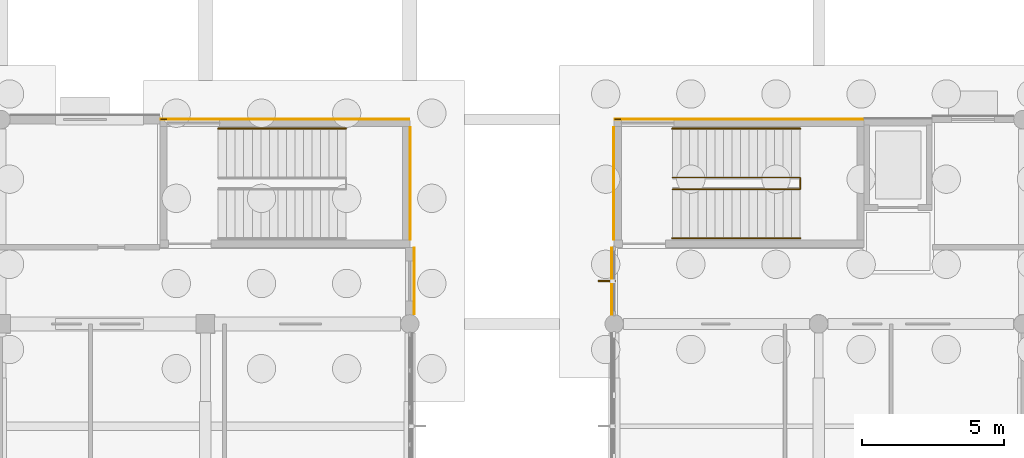
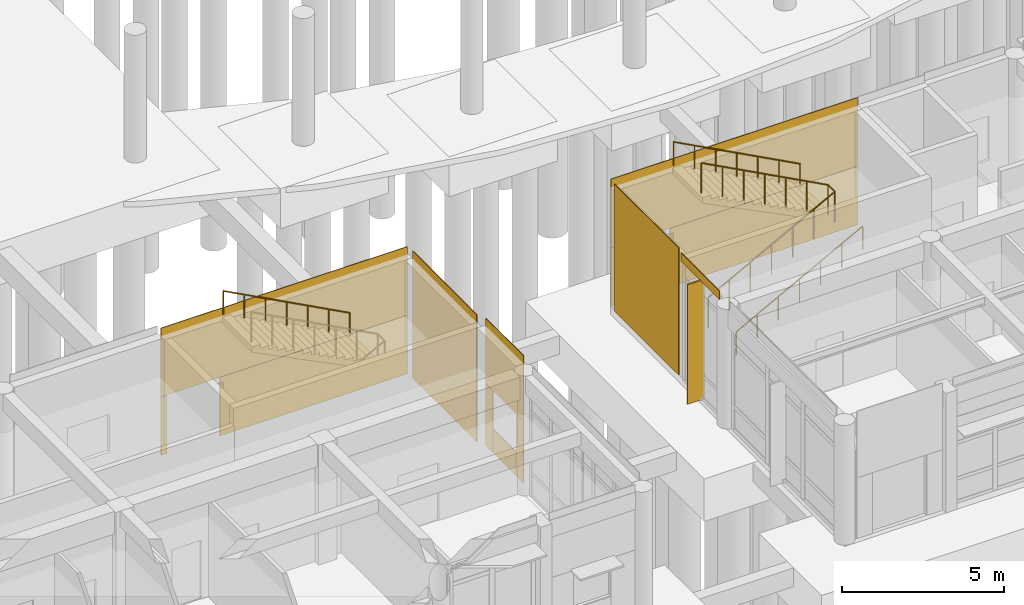
# One storey, part 83 of 103: 13 coverings, 4 railings, 1 shading device.
"""IFC4 building model written with IfcOpenShell, lengths in metres."""

import ifcopenshell
import ifcopenshell.guid

model = None  # the IFC model being written
_history = None  # IfcOwnerHistory: only IFC2X3 demands one
_inside = {}  # id of a spatial element -> (the spatial element, [elements in it])
_under = {}  # id of a project, library or spatial element -> (it, [spatial elements below it])
_declared = {}  # id of a project -> (the project, [libraries it declares])
_typed = {}  # id of a type object -> (the type object, [elements of that type])
_made_of = {}  # id of a material, layer set ... -> (it, [elements and type objects made of it])


def new_model(schema):
    """Start an empty IFC model of exactly this schema.

    Asked for "IFC4X3", IfcOpenShell would pick the latest addendum, in which some entities
    have other attributes; the version numbers below select the first issue.
    IFC2X3 requires an IfcOwnerHistory on every rooted entity: one is made here for all.
    """
    global model, _history
    if schema == "IFC4X3":
        model = ifcopenshell.file(schema_version=(4, 3, 0, 0))
    else:
        model = ifcopenshell.file(schema=schema)
    _inside.clear()
    _under.clear()
    _declared.clear()
    _typed.clear()
    _made_of.clear()
    _history = None
    if model.schema == "IFC2X3":
        org = make("IfcOrganization", Name="unknown")
        user = make(
            "IfcPersonAndOrganization",
            ThePerson=make("IfcPerson", FamilyName="unknown"),
            TheOrganization=org,
        )
        app = make(
            "IfcApplication",
            ApplicationDeveloper=org,
            Version="unknown",
            ApplicationFullName="unknown",
            ApplicationIdentifier="unknown",
        )
        _history = make(
            "IfcOwnerHistory",
            OwningUser=user,
            OwningApplication=app,
            ChangeAction="ADDED",
            CreationDate=0,
        )
    return model


def make(cls, **values):
    """One entity of the class cls with the attributes given. An attribute that is None is left unset."""
    return model.create_entity(
        cls, **{name: value for name, value in values.items() if value is not None}
    )


def rooted(cls, **values):
    """An entity with a GlobalId (a new one), such as an element, a storey or a relation."""
    return make(cls, GlobalId=ifcopenshell.guid.new(), OwnerHistory=_history, **values)


def si_unit(unit_type, name, prefix=None):
    """IfcSIUnit, for example si_unit("LENGTHUNIT", "METRE", prefix="MILLI")."""
    return make("IfcSIUnit", UnitType=unit_type, Prefix=prefix, Name=name)


def assignment(units):
    """IfcUnitAssignment: the units of a project."""
    return None if units is None else make("IfcUnitAssignment", Units=units)


def point(xyz):
    """IfcCartesianPoint."""
    return None if xyz is None else make("IfcCartesianPoint", Coordinates=xyz)


def direction(xyz):
    """IfcDirection."""
    return None if xyz is None else make("IfcDirection", DirectionRatios=xyz)


def frame(location, z_axis=None, x_axis=None):
    """IfcAxis2Placement3D, a coordinate frame: its origin and axes. An axis left out is left unset."""
    return make(
        "IfcAxis2Placement3D",
        Location=point(location),
        Axis=direction(z_axis),
        RefDirection=direction(x_axis),
    )


def frame_2d(location, x_axis=None):
    """IfcAxis2Placement2D, a coordinate frame in the plane: its origin and x axis."""
    return make(
        "IfcAxis2Placement2D", Location=point(location), RefDirection=direction(x_axis)
    )


def origin():
    """The frame at (0, 0, 0) with its axes left unset."""
    return frame((0.0, 0.0, 0.0))


def origin_2d():
    """The frame at (0, 0) in the plane with its x axis left unset."""
    return frame_2d((0.0, 0.0))


def place(relative_to, where):
    """IfcLocalPlacement: puts the frame where relative to a parent placement (None: the world)."""
    return make(
        "IfcLocalPlacement", PlacementRelTo=relative_to, RelativePlacement=where
    )


def context(
    kind, dimensions, precision=None, world=None, true_north=None, identifier=None
):
    """IfcGeometricRepresentationContext, for example the 3D "Model" context."""
    return make(
        "IfcGeometricRepresentationContext",
        ContextIdentifier=identifier,
        ContextType=kind,
        CoordinateSpaceDimension=dimensions,
        Precision=precision,
        WorldCoordinateSystem=world,
        TrueNorth=true_north,
    )


def subcontext(parent, identifier, kind, view, scale=None):
    """IfcGeometricRepresentationSubContext, for example "Body" below "Model"."""
    return make(
        "IfcGeometricRepresentationSubContext",
        ContextIdentifier=identifier,
        ContextType=kind,
        ParentContext=parent,
        TargetScale=scale,
        TargetView=view,
    )


def project(units=None, contexts=None):
    """IfcProject with its units and contexts."""
    return rooted(
        "IfcProject",
        Name="project",
        RepresentationContexts=contexts,
        UnitsInContext=assignment(units),
    )


def spatial(cls, under=None, at=None, **own):
    """A site, building, storey or space (cls), placed at a placement, below another one or the project."""
    s = rooted(cls, ObjectPlacement=at, **own)
    if under is not None:
        _under.setdefault(under.id(), (under, []))[1].append(s)
    return s


def profile(cls, at=None, kind="AREA", **sizes):
    """A parametric profile (cls). Its sizes go by their IFC names, for example OverallWidth=200.0."""
    return make(cls, ProfileType=kind, Position=at, **sizes)


def rectangle(**sizes):
    """IfcRectangleProfileDef."""
    return profile("IfcRectangleProfileDef", **sizes)


def circle(**sizes):
    """IfcCircleProfileDef."""
    return profile("IfcCircleProfileDef", **sizes)


def extrude(swept, where, along, depth):
    """IfcExtrudedAreaSolid: the profile swept, set in the frame where, extruded along a direction by depth."""
    return make(
        "IfcExtrudedAreaSolid",
        SweptArea=swept,
        Position=where,
        ExtrudedDirection=direction(along),
        Depth=depth,
    )


def shape(context_of_items, identifier, shape_type, items):
    """IfcShapeRepresentation: the items that make up one representation, for example the "Body"."""
    return make(
        "IfcShapeRepresentation",
        ContextOfItems=context_of_items,
        RepresentationIdentifier=identifier,
        RepresentationType=shape_type,
        Items=items,
    )


def material(Name=None, Category=None):
    """IfcMaterial."""
    return make("IfcMaterial", Name=Name, Category=Category)


def layer(
    of_material, thickness, ventilated=None, Name=None, Category=None, Priority=None
):
    """IfcMaterialLayer: one layer of a wall or slab, of a material (None: an air gap)."""
    return make(
        "IfcMaterialLayer",
        Material=of_material,
        LayerThickness=thickness,
        IsVentilated=ventilated,
        Name=Name,
        Category=Category,
        Priority=Priority,
    )


def layer_set(layers, Name=None):
    """IfcMaterialLayerSet."""
    return make("IfcMaterialLayerSet", MaterialLayers=layers, LayerSetName=Name)


def made_of(thing, what):
    """Note that an element or type object is made of a material, layer set ...; save() writes the relation."""
    if what is not None:
        _made_of.setdefault(what.id(), (what, []))[1].append(thing)
    return thing


def type_object(cls, material=None, **own):
    """A type object (cls), such as IfcWallType, which elements share."""
    return made_of(rooted(cls, **own), material)


def element(
    cls,
    number,
    at=None,
    inside=None,
    cuts=None,
    type_object=None,
    material=None,
    context=None,
    identifier="Body",
    shape_type=None,
    held_by="IfcProductDefinitionShape",
    body=None,
    shapes=None,
    **own,
):
    """One element of the class cls, such as IfcWall. Its Tag is "e" and its number.

    at: its placement. inside: the storey or other place that contains it. cuts: it is an
    opening in that element (IfcRelVoidsElement). A single representation is given by context,
    identifier, shape_type and body (its items); several are given by shapes. held_by: the class
    of the entity that holds the representations. save() writes the other relations.
    """
    e = rooted(cls, Tag="e%d" % number, ObjectPlacement=at, **own)
    if body is not None:
        shapes = [shape(context, identifier, shape_type, body)]
    if shapes is not None:
        e.Representation = make(held_by, Representations=shapes)
    if inside is not None:
        _inside.setdefault(inside.id(), (inside, []))[1].append(e)
    if cuts is not None:
        rooted(
            "IfcRelVoidsElement", RelatingBuildingElement=cuts, RelatedOpeningElement=e
        )
    if type_object is not None:
        _typed.setdefault(type_object.id(), (type_object, []))[1].append(e)
    return made_of(e, material)


def aggregate(whole, parts):
    """IfcRelAggregates: a whole, such as a stair, and the parts it consists of."""
    return rooted("IfcRelAggregates", RelatingObject=whole, RelatedObjects=parts)


def save(model, path):
    """Write the relations noted so far, then the file.

    IfcRelAggregates (storeys below a building ...), IfcRelContainedInSpatialStructure (elements
    in a storey), IfcRelDefinesByType, IfcRelAssociatesMaterial and IfcRelDeclares: one each for
    every whole, place, type object, material and project.
    """
    for whole, parts in _under.values():
        aggregate(whole, parts)
    for where, things in _inside.values():
        rooted(
            "IfcRelContainedInSpatialStructure",
            RelatedElements=things,
            RelatingStructure=where,
        )
    for kind, things in _typed.values():
        rooted("IfcRelDefinesByType", RelatedObjects=things, RelatingType=kind)
    for what, things in _made_of.values():
        rooted("IfcRelAssociatesMaterial", RelatedObjects=things, RelatingMaterial=what)
    for by, libraries in _declared.values():
        rooted("IfcRelDeclares", RelatingContext=by, RelatedDefinitions=libraries)
    model.write(path)


model = new_model("IFC4")

# Units and contexts
model_context = context("Model", 3, precision=1e-05, world=origin(), true_north=direction((0.0, 1.0)))
body_context = subcontext(model_context, "Body", "Model", "MODEL_VIEW")
ifc_project = project(units=[si_unit("LENGTHUNIT", "METRE"), si_unit("AREAUNIT", "SQUARE_METRE"), si_unit("VOLUMEUNIT", "CUBIC_METRE"), si_unit("PLANEANGLEUNIT", "RADIAN"), si_unit("MASSUNIT", "GRAM", prefix="KILO")], contexts=[model_context])

# Site, building, storey
site_placement = place(None, origin())
site = spatial("IfcSite", under=ifc_project, at=site_placement, CompositionType="ELEMENT")
building_placement = place(site_placement, origin())
building = spatial("IfcBuilding", under=site, at=building_placement, Name="Namkhue Oval Health Centre", CompositionType="ELEMENT")
storey_placement = place(building_placement, origin())
storey = spatial("IfcBuildingStorey", under=building, at=storey_placement, Name="L00", CompositionType="ELEMENT", Elevation=0.0)

# Railings
ifc_material_1 = material(Name="Brushed stainless steel 316L balustrade with laminated glass infill", Category="steel")
railing_type_1 = type_object("IfcRailingType", Name="INTERIOR BALUSTRADE GUARD 1150", PredefinedType="BALUSTRADE", material=ifc_material_1)
railing_1_placement = place(storey_placement, frame((95.64990234375, 26.340087890625, 0.0)))
element("IfcRailing", 1, at=railing_1_placement, inside=storey, type_object=railing_type_1, Name="Stair ST-09 L00 Inner Well Guard", PredefinedType="BALUSTRADE", context=body_context, shape_type="SweptSolid", body=[
    extrude(circle(Radius=0.02392578125, at=origin_2d()), frame((0.0, 0.0, 1.1259765625), z_axis=(0.882360891967, 0.0, 0.470573327259), x_axis=(0.0, 1.0, 0.0)), (0.0, 0.0, 1.0), 5.099853515625),
    extrude(circle(Radius=0.02392578125, at=origin_2d()), frame((4.5, 0.0, 3.52587890625), z_axis=(0.0, 1.0, 0.0), x_axis=(-1.0, 0.0, 0.0)), (0.0, 0.0, 1.0), 0.419921875),
    extrude(circle(Radius=0.02392578125, at=origin_2d()), frame((4.5, 0.419921875, 3.52587890625), z_axis=(-0.882341014787, 0.0, 0.470610596591), x_axis=(0.0, -1.0, 0.0)), (0.0, 0.0, 1.0), 5.10009765625),
    extrude(circle(Radius=0.02099609375, at=origin_2d()), origin(), (0.0, 0.0, 1.0), 1.101806640625),
    extrude(circle(Radius=0.02099609375, at=origin_2d()), frame((0.75, 0.0, 0.39990234375)), (0.0, 0.0, 1.0), 1.101806640625),
    extrude(circle(Radius=0.02099609375, at=origin_2d()), frame((1.5, 0.0, 0.800048828125)), (0.0, 0.0, 1.0), 1.101806640625),
    extrude(circle(Radius=0.02099609375, at=origin_2d()), frame((2.25, 0.0, 1.199951171875)), (0.0, 0.0, 1.0), 1.101806640625),
    extrude(circle(Radius=0.02099609375, at=origin_2d()), frame((3.0, 0.0, 1.599853515625)), (0.0, 0.0, 1.0), 1.101806640625),
    extrude(circle(Radius=0.02099609375, at=origin_2d()), frame((3.75, 0.0, 2.0)), (0.0, 0.0, 1.0), 1.101806640625),
    extrude(circle(Radius=0.02099609375, at=origin_2d()), frame((4.5, 0.0, 2.39990234375)), (0.0, 0.0, 1.0), 1.101806640625),
    extrude(circle(Radius=0.02099609375, at=origin_2d()), frame((4.5, 0.419921875, 2.39990234375)), (0.0, 0.0, 1.0), 1.101806640625),
    extrude(circle(Radius=0.02099609375, at=origin_2d()), frame((3.75, 0.419921875, 2.7998046875)), (0.0, 0.0, 1.0), 1.101806640625),
    extrude(circle(Radius=0.02099609375, at=origin_2d()), frame((3.0, 0.419921875, 3.199951171875)), (0.0, 0.0, 1.0), 1.101806640625),
    extrude(circle(Radius=0.02099609375, at=origin_2d()), frame((2.25, 0.419921875, 3.60009765625)), (0.0, 0.0, 1.0), 1.101806640625),
    extrude(circle(Radius=0.02099609375, at=origin_2d()), frame((1.5, 0.419921875, 4.0)), (0.0, 0.0, 1.0), 1.101806640625),
    extrude(circle(Radius=0.02099609375, at=origin_2d()), frame((0.75, 0.419921875, 4.39990234375)), (0.0, 0.0, 1.0), 1.101806640625),
    extrude(circle(Radius=0.02099609375, at=origin_2d()), frame((0.0, 0.419921875, 4.800048828125)), (0.0, 0.0, 1.0), 1.101806640625),
])
ifc_material_2 = material(Name="Brushed stainless steel 304 tubular handrail", Category="steel")
railing_type_2 = type_object("IfcRailingType", Name="INTERIOR STAIR HANDRAIL 900", PredefinedType="HANDRAIL", material=ifc_material_2)
railing_2_placement = place(storey_placement, frame((84.14990234375, 28.47998046875, 2.39990234375)))
element("IfcRailing", 2, at=railing_2_placement, inside=storey, type_object=railing_type_2, Name="Stair ST-08 L00 Flight 2 Handrail", PredefinedType="HANDRAIL", context=body_context, shape_type="SweptSolid", body=[
    extrude(circle(Radius=0.02392578125, at=origin_2d()), frame((0.0, 0.0, 0.8759765625), z_axis=(-0.882341014787, 0.0, 0.470610596591), x_axis=(0.0, -1.0, 0.0)), (0.0, 0.0, 1.0), 5.10009765625),
    extrude(circle(Radius=0.02099609375, at=origin_2d()), origin(), (0.0, 0.0, 1.0), 0.851806640625),
    extrude(circle(Radius=0.02099609375, at=origin_2d()), frame((-0.75, 0.0, 0.39990234375)), (0.0, 0.0, 1.0), 0.851806640625),
    extrude(circle(Radius=0.02099609375, at=origin_2d()), frame((-1.5, 0.0, 0.800048828125)), (0.0, 0.0, 1.0), 0.851806640625),
    extrude(circle(Radius=0.02099609375, at=origin_2d()), frame((-2.25, 0.0, 1.2001953125)), (0.0, 0.0, 1.0), 0.851806640625),
    extrude(circle(Radius=0.02099609375, at=origin_2d()), frame((-3.0, 0.0, 1.60009765625)), (0.0, 0.0, 1.0), 0.851806640625),
    extrude(circle(Radius=0.02099609375, at=origin_2d()), frame((-3.75, 0.0, 2.0)), (0.0, 0.0, 1.0), 0.851806640625),
    extrude(circle(Radius=0.02099609375, at=origin_2d()), frame((-4.5, 0.0, 2.400146484375)), (0.0, 0.0, 1.0), 0.851806640625),
])
railing_3_placement = place(storey_placement, frame((95.64990234375, 24.6201171875, 0.0)))
element("IfcRailing", 3, at=railing_3_placement, inside=storey, type_object=railing_type_2, Name="Stair ST-09 L00 Flight 1 Handrail", PredefinedType="HANDRAIL", context=body_context, shape_type="SweptSolid", body=[
    extrude(circle(Radius=0.02392578125, at=origin_2d()), frame((0.0, 0.0, 0.8759765625), z_axis=(0.882360891967, 0.0, 0.470573327259), x_axis=(0.0, 1.0, 0.0)), (0.0, 0.0, 1.0), 5.099853515625),
    extrude(circle(Radius=0.02099609375, at=origin_2d()), origin(), (0.0, 0.0, 1.0), 0.851806640625),
    extrude(circle(Radius=0.02099609375, at=origin_2d()), frame((0.75, 0.0, 0.39990234375)), (0.0, 0.0, 1.0), 0.851806640625),
    extrude(circle(Radius=0.02099609375, at=origin_2d()), frame((1.5, 0.0, 0.800048828125)), (0.0, 0.0, 1.0), 0.851806640625),
    extrude(circle(Radius=0.02099609375, at=origin_2d()), frame((2.25, 0.0, 1.199951171875)), (0.0, 0.0, 1.0), 0.851806640625),
    extrude(circle(Radius=0.02099609375, at=origin_2d()), frame((3.0, 0.0, 1.599853515625)), (0.0, 0.0, 1.0), 0.851806640625),
    extrude(circle(Radius=0.02099609375, at=origin_2d()), frame((3.75, 0.0, 2.0)), (0.0, 0.0, 1.0), 0.851806640625),
    extrude(circle(Radius=0.02099609375, at=origin_2d()), frame((4.5, 0.0, 2.39990234375)), (0.0, 0.0, 1.0), 0.851806640625),
])
railing_4_placement = place(storey_placement, frame((100.14990234375, 28.47998046875, 2.39990234375)))
element("IfcRailing", 4, at=railing_4_placement, inside=storey, type_object=railing_type_2, Name="Stair ST-09 L00 Flight 2 Handrail", PredefinedType="HANDRAIL", context=body_context, shape_type="SweptSolid", body=[
    extrude(circle(Radius=0.02392578125, at=origin_2d()), frame((0.0, 0.0, 0.8759765625), z_axis=(-0.882341014787, 0.0, 0.470610596591), x_axis=(0.0, -1.0, 0.0)), (0.0, 0.0, 1.0), 5.10009765625),
    extrude(circle(Radius=0.02099609375, at=origin_2d()), origin(), (0.0, 0.0, 1.0), 0.851806640625),
    extrude(circle(Radius=0.02099609375, at=origin_2d()), frame((-0.75, 0.0, 0.39990234375)), (0.0, 0.0, 1.0), 0.851806640625),
    extrude(circle(Radius=0.02099609375, at=origin_2d()), frame((-1.5, 0.0, 0.800048828125)), (0.0, 0.0, 1.0), 0.851806640625),
    extrude(circle(Radius=0.02099609375, at=origin_2d()), frame((-2.25, 0.0, 1.2001953125)), (0.0, 0.0, 1.0), 0.851806640625),
    extrude(circle(Radius=0.02099609375, at=origin_2d()), frame((-3.0, 0.0, 1.60009765625)), (0.0, 0.0, 1.0), 0.851806640625),
    extrude(circle(Radius=0.02099609375, at=origin_2d()), frame((-3.75, 0.0, 2.0)), (0.0, 0.0, 1.0), 0.851806640625),
    extrude(circle(Radius=0.02099609375, at=origin_2d()), frame((-4.5, 0.0, 2.400146484375)), (0.0, 0.0, 1.0), 0.851806640625),
])

# Shading device
ifc_material_3 = material(Name="Anodised aluminium EN AW-6063 T6", Category="aluminium")
shading_device_type = type_object("IfcShadingDeviceType", Name="VERTICAL SOLAR FIN 600", PredefinedType="USERDEFINED", material=ifc_material_3)
shading_device_placement = place(storey_placement, frame((93.340087890625, 23.10888671875, 0.0), z_axis=(0.0, 0.0, 1.0), x_axis=(-1.0, 0.0, 0.0)))
element("IfcShadingDevice", 5, at=shading_device_placement, inside=storey, type_object=shading_device_type, Name="Volume V5 L00 Extruded Aluminium Solar Fin 249", ObjectType="SOLAR FIN", PredefinedType="USERDEFINED", context=body_context, shape_type="SweptSolid", body=[
    extrude(rectangle(XDim=0.60009765625, YDim=0.06005859375, at=origin_2d()), origin(), (0.0, 0.0, 1.0), 4.4951171875),
])

# Coverings
ifc_material_4 = material(Name="White glass-fibre reinforced concrete GRC rainscreen cladding", Category="concrete")
ifc_layer = layer(ifc_material_4, 0.02490234375)
ifc_layer_set = layer_set([ifc_layer], Name="White glass-fibre reinforced concrete GRC rainscreen cladding")
covering_type = type_object("IfcCoveringType", Name="WHITE GRC RAINSCREEN CLADDING 25", PredefinedType="CLADDING", material=ifc_layer_set)
covering_1_placement = place(storey_placement, frame((86.556884765625, 23.10888671875, 2.3349609375), z_axis=(0.0, 0.0, 1.0), x_axis=(0.0, 1.0, 0.0)))
element("IfcCovering", 6, at=covering_1_placement, inside=storey, type_object=covering_type, Name="Volume V4 L00 Facade 92 White GRC Cladding 1", PredefinedType="CLADDING", context=body_context, shape_type="SweptSolid", body=[
    extrude(rectangle(XDim=2.337890625, YDim=0.02490234375, at=origin_2d()), origin(), (0.0, 0.0, 1.0), 2.455078125),
])
covering_2_placement = place(storey_placement, frame((86.556884765625, 22.1669921875, 0.009765625), z_axis=(0.0, 0.0, 1.0), x_axis=(0.0, 1.0, 0.0)))
element("IfcCovering", 7, at=covering_2_placement, inside=storey, type_object=covering_type, Name="Volume V4 L00 Facade 92 White GRC Cladding 2", PredefinedType="CLADDING", context=body_context, shape_type="SweptSolid", body=[
    extrude(rectangle(XDim=0.4541015625, YDim=0.02490234375, at=origin_2d()), origin(), (0.0, 0.0, 1.0), 2.320068359375),
])
covering_3_placement = place(storey_placement, frame((86.556884765625, 23.10888671875, 0.010009765625), z_axis=(0.0, 0.0, 1.0), x_axis=(0.0, 1.0, 0.0)))
element("IfcCovering", 8, at=covering_3_placement, inside=storey, type_object=covering_type, Name="Volume V4 L00 Facade 92 White GRC Cladding 3", PredefinedType="CLADDING", context=body_context, shape_type="SweptSolid", body=[
    extrude(rectangle(XDim=1.419921875, YDim=0.02490234375, at=origin_2d()), origin(), (0.0, 0.0, 1.0), 0.875),
])
covering_4_placement = place(storey_placement, frame((86.556884765625, 24.051025390625, 0.009765625), z_axis=(0.0, 0.0, 1.0), x_axis=(0.0, 1.0, 0.0)))
element("IfcCovering", 9, at=covering_4_placement, inside=storey, type_object=covering_type, Name="Volume V4 L00 Facade 92 White GRC Cladding 4", PredefinedType="CLADDING", context=body_context, shape_type="SweptSolid", body=[
    extrude(rectangle(XDim=0.4541015625, YDim=0.02490234375, at=origin_2d()), origin(), (0.0, 0.0, 1.0), 2.320068359375),
])
covering_5_placement = place(storey_placement, frame((93.511474609375, 23.10888671875, 4.47998046875), z_axis=(0.0, 0.0, 1.0), x_axis=(0.0, -1.0, 0.0)))
element("IfcCovering", 10, at=covering_5_placement, inside=storey, type_object=covering_type, Name="Volume V5 L00 Curtain Wall Spandrel Cladding 185", PredefinedType="CLADDING", context=body_context, shape_type="SweptSolid", body=[
    extrude(rectangle(XDim=2.367919921875, YDim=0.02490234375, at=origin_2d()), origin(), (0.0, 0.0, 1.0), 0.320068359375),
])
covering_6_placement = place(storey_placement, frame((86.412109375, 26.550048828125, 0.009765625), z_axis=(0.0, 0.0, 1.0), x_axis=(0.0, 1.0, 0.0)))
element("IfcCovering", 11, at=covering_6_placement, inside=storey, type_object=covering_type, Name="Core SC-08 L00 Core E White GRC Cladding 1", PredefinedType="CLADDING", context=body_context, shape_type="SweptSolid", body=[
    extrude(rectangle(XDim=3.9599609375, YDim=0.02490234375, at=origin_2d()), origin(), (0.0, 0.0, 1.0), 4.780029296875),
])
covering_7_placement = place(storey_placement, frame((82.0, 28.81201171875, 2.21484375), z_axis=(0.0, 0.0, 1.0), x_axis=(-1.0, 0.0, 0.0)))
element("IfcCovering", 12, at=covering_7_placement, inside=storey, type_object=covering_type, Name="Core SC-08 L00 Core N White GRC Cladding 1", PredefinedType="CLADDING", context=body_context, shape_type="SweptSolid", body=[
    extrude(rectangle(XDim=8.760009765625, YDim=0.02490234375, at=origin_2d()), origin(), (0.0, 0.0, 1.0), 2.574951171875),
])
covering_8_placement = place(storey_placement, frame((83.047607421875, 28.81201171875, 0.01025390625), z_axis=(0.0, 0.0, 1.0), x_axis=(-1.0, 0.0, 0.0)))
element("IfcCovering", 13, at=covering_8_placement, inside=storey, type_object=covering_type, Name="Core SC-08 L00 Core N White GRC Cladding 2", PredefinedType="CLADDING", context=body_context, shape_type="SweptSolid", body=[
    extrude(rectangle(XDim=6.6650390625, YDim=0.02490234375, at=origin_2d()), origin(), (0.0, 0.0, 1.0), 2.199951171875),
])
covering_9_placement = place(storey_placement, frame((77.7275390625, 28.81201171875, 0.01025390625), z_axis=(0.0, 0.0, 1.0), x_axis=(-1.0, 0.0, 0.0)))
element("IfcCovering", 14, at=covering_9_placement, inside=storey, type_object=covering_type, Name="Core SC-08 L00 Core N White GRC Cladding 3", PredefinedType="CLADDING", context=body_context, shape_type="SweptSolid", body=[
    extrude(rectangle(XDim=0.215087890625, YDim=0.02490234375, at=origin_2d()), origin(), (0.0, 0.0, 1.0), 2.199951171875),
])
covering_10_placement = place(storey_placement, frame((98.0, 28.81201171875, 2.21484375), z_axis=(0.0, 0.0, 1.0), x_axis=(-1.0, 0.0, 0.0)))
element("IfcCovering", 15, at=covering_10_placement, inside=storey, type_object=covering_type, Name="Core SC-09 L00 Core N White GRC Cladding 1", PredefinedType="CLADDING", context=body_context, shape_type="SweptSolid", body=[
    extrude(rectangle(XDim=8.760009765625, YDim=0.02490234375, at=origin_2d()), origin(), (0.0, 0.0, 1.0), 2.574951171875),
])
covering_11_placement = place(storey_placement, frame((99.047607421875, 28.81201171875, 0.01025390625), z_axis=(0.0, 0.0, 1.0), x_axis=(-1.0, 0.0, 0.0)))
element("IfcCovering", 16, at=covering_11_placement, inside=storey, type_object=covering_type, Name="Core SC-09 L00 Core N White GRC Cladding 2", PredefinedType="CLADDING", context=body_context, shape_type="SweptSolid", body=[
    extrude(rectangle(XDim=6.6650390625, YDim=0.02490234375, at=origin_2d()), origin(), (0.0, 0.0, 1.0), 2.199951171875),
])
covering_12_placement = place(storey_placement, frame((93.7275390625, 28.81201171875, 0.01025390625), z_axis=(0.0, 0.0, 1.0), x_axis=(-1.0, 0.0, 0.0)))
element("IfcCovering", 17, at=covering_12_placement, inside=storey, type_object=covering_type, Name="Core SC-09 L00 Core N White GRC Cladding 3", PredefinedType="CLADDING", context=body_context, shape_type="SweptSolid", body=[
    extrude(rectangle(XDim=0.215087890625, YDim=0.02490234375, at=origin_2d()), origin(), (0.0, 0.0, 1.0), 2.199951171875),
])
covering_13_placement = place(storey_placement, frame((93.587890625, 26.550048828125, 0.009765625), z_axis=(0.0, 0.0, 1.0), x_axis=(0.0, -1.0, 0.0)))
element("IfcCovering", 18, at=covering_13_placement, inside=storey, type_object=covering_type, Name="Core SC-09 L00 Core W White GRC Cladding 1", PredefinedType="CLADDING", context=body_context, shape_type="SweptSolid", body=[
    extrude(rectangle(XDim=3.9599609375, YDim=0.02490234375, at=origin_2d()), origin(), (0.0, 0.0, 1.0), 4.780029296875),
])

save(model, "model.ifc")
